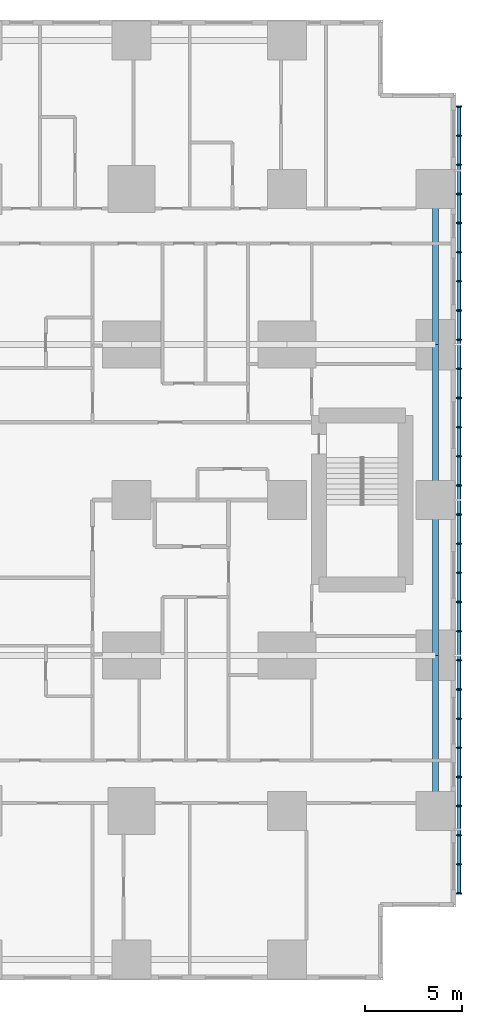
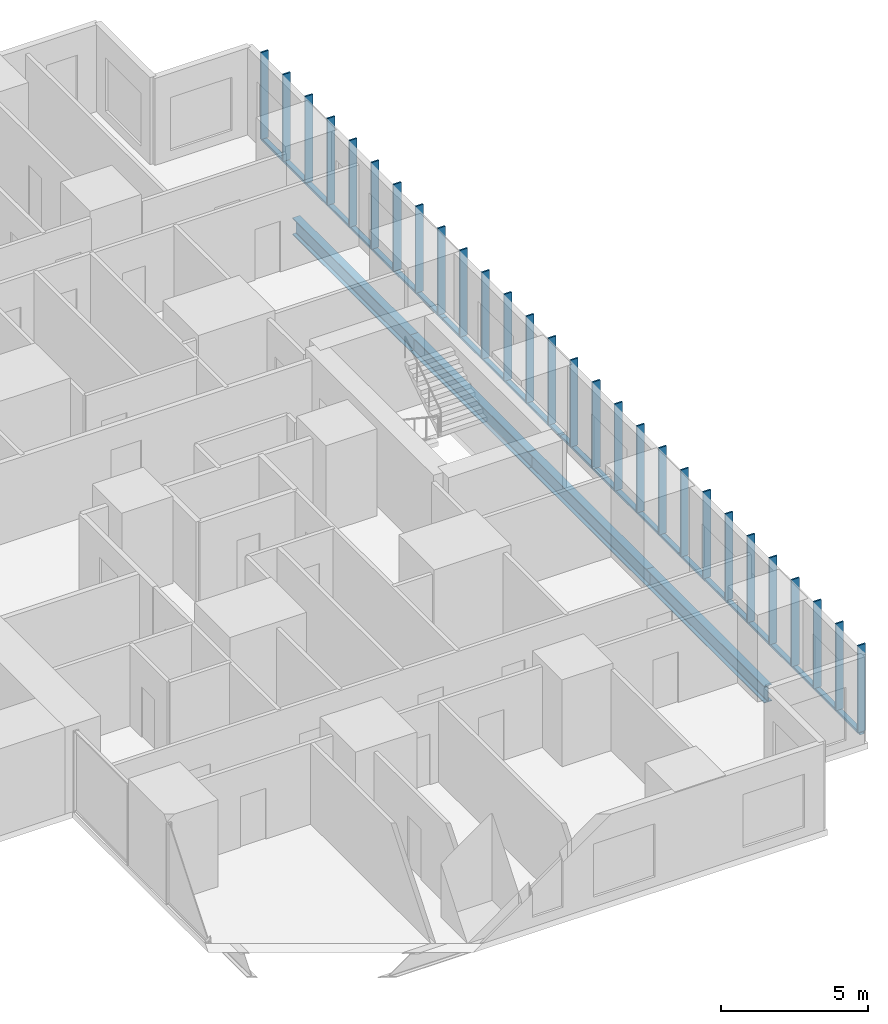
# One storey, part 6 of 20: 32 members, 4 beams.
"""IFC4 building model written with IfcOpenShell, lengths in metres."""

from ifc_helpers import new_model, si_unit, direction, frame, origin, origin_2d, place, context, subcontext, project, spatial, rectangle, hollow_rectangle, i_section, extrude, material, material_profile, profile_set, type_object, element, save


model = new_model("IFC4")

# Units and contexts
model_context = context("Model", 3, precision=1e-05, world=origin(), true_north=direction((0.0, 1.0)))
body_context = subcontext(model_context, "Body", "Model", "MODEL_VIEW")
ifc_project = project(units=[si_unit("LENGTHUNIT", "METRE"), si_unit("AREAUNIT", "SQUARE_METRE"), si_unit("VOLUMEUNIT", "CUBIC_METRE"), si_unit("PLANEANGLEUNIT", "RADIAN"), si_unit("MASSUNIT", "GRAM", prefix="KILO")], contexts=[model_context])

# Site, building, storey
site_placement = place(None, origin())
site = spatial("IfcSite", under=ifc_project, at=site_placement, CompositionType="ELEMENT")
building_placement = place(site_placement, origin())
building = spatial("IfcBuilding", under=site, at=building_placement, Name="Cleftline Residences", CompositionType="ELEMENT")
storey_placement = place(building_placement, frame((0.0, 0.0, 146.60009765625)))
storey = spatial("IfcBuildingStorey", under=building, at=storey_placement, Name="L38", CompositionType="ELEMENT", Elevation=146.60009765625)

# Members
ifc_material_1 = material(Name="Steel S355, hot-dip galvanised", Category="steel")
ifc_material_profile_1 = material_profile(ifc_material_1, hollow_rectangle(XDim=0.10009765625, YDim=0.199951171875, WallThickness=0.008056640625, InnerFilletRadius=0.008056640625, OuterFilletRadius=0.011962890625, at=origin_2d()))
ifc_profile_set_1 = profile_set([ifc_material_profile_1], Name="Steel S355, hot-dip galvanised")
member_type_1 = type_object("IfcMemberType", Name="BAGUETTE CARRIER RHS 200X100X8", PredefinedType="USERDEFINED", material=ifc_profile_set_1)
member_1_placement = place(storey_placement, frame((66.85009765625, 3.699951171875, -0.050048828125), z_axis=(0.0, 1.0, 0.0), x_axis=(0.0, 0.0, 1.0)))
element("IfcMember", 1, at=member_1_placement, inside=storey, type_object=member_type_1, Name="Baguette carrier", ObjectType="BAGUETTE CARRIER", PredefinedType="USERDEFINED", context=body_context, shape_type="SweptSolid", body=[
    extrude(hollow_rectangle(XDim=0.10009765625, YDim=0.199951171875, WallThickness=0.008056640625, InnerFilletRadius=0.008056640625, OuterFilletRadius=0.011962890625, at=origin_2d()), origin(), (0.0, 0.0, 1.0), 12.300048828125),
])
for number, where, z_axis, x_axis, name in (
    (2, (66.85009765625, 16.0, -0.050048828125), (0.0, 1.0, 0.0), (0.0, 0.0, 1.0), "Baguette carrier"),
    (3, (66.85009765625, 24.0, -0.050048828125), (0.0, 1.0, 0.0), (0.0, 0.0, 1.0), "Baguette carrier"),
):
    element("IfcMember", number, at=place(storey_placement, frame(where, z_axis=z_axis, x_axis=x_axis)), inside=storey, type_object=member_type_1, Name=name, ObjectType="BAGUETTE CARRIER", PredefinedType="USERDEFINED", context=body_context, shape_type="SweptSolid", body=[
        extrude(hollow_rectangle(XDim=0.10009765625, YDim=0.199951171875, WallThickness=0.008056640625, InnerFilletRadius=0.008056640625, OuterFilletRadius=0.011962890625, at=origin_2d()), origin(), (0.0, 0.0, 1.0), 8.0),
    ])
member_2_placement = place(storey_placement, frame((66.85009765625, 32.0, -0.050048828125), z_axis=(0.0, 1.0, 0.0), x_axis=(0.0, 0.0, 1.0)))
element("IfcMember", 4, at=member_2_placement, inside=storey, type_object=member_type_1, Name="Baguette carrier", ObjectType="BAGUETTE CARRIER", PredefinedType="USERDEFINED", context=body_context, shape_type="SweptSolid", body=[
    extrude(hollow_rectangle(XDim=0.10009765625, YDim=0.199951171875, WallThickness=0.008056640625, InnerFilletRadius=0.008056640625, OuterFilletRadius=0.011962890625, at=origin_2d()), origin(), (0.0, 0.0, 1.0), 12.300048828125),
])

# Beams
ifc_material_2 = material(Name="Steel S355", Category="steel")
ifc_material_profile_2 = material_profile(ifc_material_2, i_section(OverallWidth=0.300048828125, OverallDepth=0.699951171875, WebThickness=0.01708984375, FlangeThickness=0.031982421875, FilletRadius=0.027099609375, at=origin_2d()))
ifc_profile_set_2 = profile_set([ifc_material_profile_2], Name="Steel S355")
beam_type = type_object("IfcBeamType", Name="BEAM HEB 700", PredefinedType="BEAM", material=ifc_profile_set_2)
for number, where, z_axis, x_axis, name in (
    (5, (65.64990234375, 8.0, -0.60009765625), (0.0, 1.0, 0.0), (-1.0, 0.0, 0.0), "Edge beam"),
    (6, (65.64990234375, 16.0, -0.60009765625), (0.0, 1.0, 0.0), (-1.0, 0.0, 0.0), "Edge beam"),
    (7, (65.64990234375, 24.0, -0.60009765625), (0.0, 1.0, 0.0), (-1.0, 0.0, 0.0), "Edge beam"),
    (8, (65.64990234375, 32.0, -0.60009765625), (0.0, 1.0, 0.0), (-1.0, 0.0, 0.0), "Edge beam"),
):
    element("IfcBeam", number, at=place(storey_placement, frame(where, z_axis=z_axis, x_axis=x_axis)), inside=storey, type_object=beam_type, Name=name, PredefinedType="BEAM", context=body_context, shape_type="SweptSolid", body=[
        extrude(i_section(OverallWidth=0.300048828125, OverallDepth=0.699951171875, WebThickness=0.01708984375, FlangeThickness=0.031982421875, FilletRadius=0.027099609375, at=origin_2d()), origin(), (0.0, 0.0, 1.0), 8.0),
    ])

# Members
ifc_material_3 = material(Name="Extruded terracotta", Category="masonry")
ifc_material_profile_3 = material_profile(ifc_material_3, rectangle(XDim=0.06005859375, YDim=0.300048828125, at=origin_2d()))
ifc_profile_set_3 = profile_set([ifc_material_profile_3], Name="Extruded terracotta")
member_type_2 = type_object("IfcMemberType", Name="TERRACOTTA BAGUETTE 60X300", PredefinedType="USERDEFINED", material=ifc_profile_set_3)
for number, where, z_axis, x_axis, name in (
    (9, (66.85009765625, 3.75, 0.0), (0.0, 0.0, 1.0), (0.0, 1.0, 0.0), "Terracotta baguette"),
    (10, (66.85009765625, 5.25, 0.0), (0.0, 0.0, 1.0), (0.0, 1.0, 0.0), "Terracotta baguette"),
    (11, (66.85009765625, 6.75, 0.0), (0.0, 0.0, 1.0), (0.0, 1.0, 0.0), "Terracotta baguette"),
    (12, (66.85009765625, 8.25, 0.0), (0.0, 0.0, 1.0), (0.0, 1.0, 0.0), "Terracotta baguette"),
    (13, (66.85009765625, 9.75, 0.0), (0.0, 0.0, 1.0), (0.0, 1.0, 0.0), "Terracotta baguette"),
    (14, (66.85009765625, 11.25, 0.0), (0.0, 0.0, 1.0), (0.0, 1.0, 0.0), "Terracotta baguette"),
    (15, (66.85009765625, 12.75, 0.0), (0.0, 0.0, 1.0), (0.0, 1.0, 0.0), "Terracotta baguette"),
    (16, (66.85009765625, 14.25, 0.0), (0.0, 0.0, 1.0), (0.0, 1.0, 0.0), "Terracotta baguette"),
    (17, (66.85009765625, 15.75, 0.0), (0.0, 0.0, 1.0), (0.0, 1.0, 0.0), "Terracotta baguette"),
    (18, (66.85009765625, 17.25, 0.0), (0.0, 0.0, 1.0), (0.0, 1.0, 0.0), "Terracotta baguette"),
    (19, (66.85009765625, 18.75, 0.0), (0.0, 0.0, 1.0), (0.0, 1.0, 0.0), "Terracotta baguette"),
    (20, (66.85009765625, 20.25, 0.0), (0.0, 0.0, 1.0), (0.0, 1.0, 0.0), "Terracotta baguette"),
    (21, (66.85009765625, 21.75, 0.0), (0.0, 0.0, 1.0), (0.0, 1.0, 0.0), "Terracotta baguette"),
    (22, (66.85009765625, 23.25, 0.0), (0.0, 0.0, 1.0), (0.0, 1.0, 0.0), "Terracotta baguette"),
    (23, (66.85009765625, 24.75, 0.0), (0.0, 0.0, 1.0), (0.0, 1.0, 0.0), "Terracotta baguette"),
    (24, (66.85009765625, 26.25, 0.0), (0.0, 0.0, 1.0), (0.0, 1.0, 0.0), "Terracotta baguette"),
    (25, (66.85009765625, 27.75, 0.0), (0.0, 0.0, 1.0), (0.0, 1.0, 0.0), "Terracotta baguette"),
    (26, (66.85009765625, 29.25, 0.0), (0.0, 0.0, 1.0), (0.0, 1.0, 0.0), "Terracotta baguette"),
    (27, (66.85009765625, 30.75, 0.0), (0.0, 0.0, 1.0), (0.0, 1.0, 0.0), "Terracotta baguette"),
    (28, (66.85009765625, 32.25, 0.0), (0.0, 0.0, 1.0), (0.0, 1.0, 0.0), "Terracotta baguette"),
    (29, (66.85009765625, 33.75, 0.0), (0.0, 0.0, 1.0), (0.0, 1.0, 0.0), "Terracotta baguette"),
    (30, (66.85009765625, 35.25, 0.0), (0.0, 0.0, 1.0), (0.0, 1.0, 0.0), "Terracotta baguette"),
    (31, (66.85009765625, 36.75, 0.0), (0.0, 0.0, 1.0), (0.0, 1.0, 0.0), "Terracotta baguette"),
    (32, (66.85009765625, 38.25, 0.0), (0.0, 0.0, 1.0), (0.0, 1.0, 0.0), "Terracotta baguette"),
    (33, (66.85009765625, 39.75, 0.0), (0.0, 0.0, 1.0), (0.0, 1.0, 0.0), "Terracotta baguette"),
    (34, (66.85009765625, 41.25, 0.0), (0.0, 0.0, 1.0), (0.0, 1.0, 0.0), "Terracotta baguette"),
    (35, (66.85009765625, 42.75, 0.0), (0.0, 0.0, 1.0), (0.0, 1.0, 0.0), "Terracotta baguette"),
    (36, (66.85009765625, 44.25, 0.0), (0.0, 0.0, 1.0), (0.0, 1.0, 0.0), "Terracotta baguette"),
):
    element("IfcMember", number, at=place(storey_placement, frame(where, z_axis=z_axis, x_axis=x_axis)), inside=storey, type_object=member_type_2, Name=name, ObjectType="BAGUETTE", PredefinedType="USERDEFINED", context=body_context, shape_type="SweptSolid", body=[
        extrude(rectangle(XDim=0.06005859375, YDim=0.300048828125, at=origin_2d()), origin(), (0.0, 0.0, 1.0), 3.599853515625),
    ])

save(model, "model.ifc")
